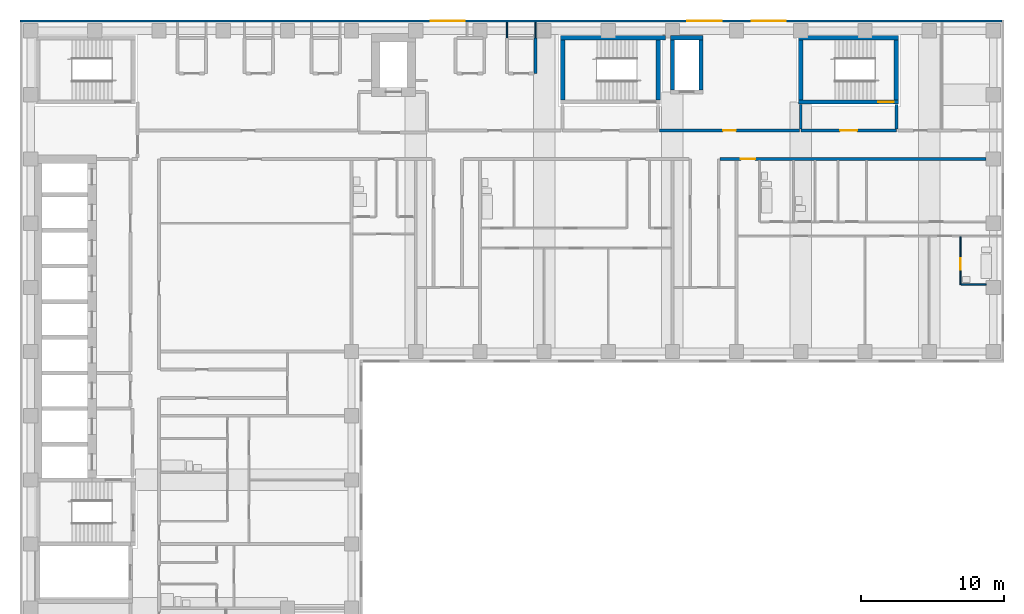
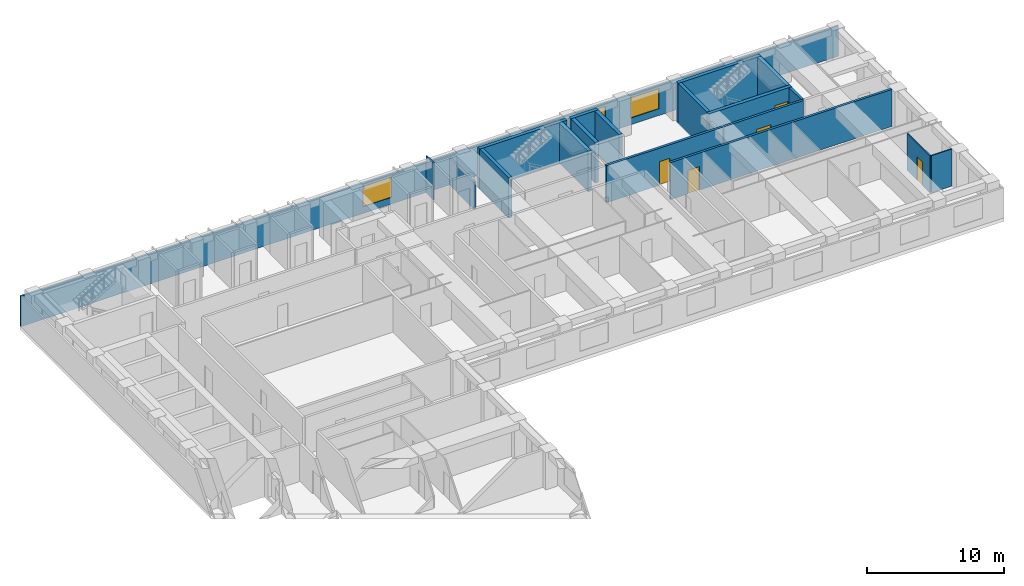
# One storey, part 8 of 12: 21 walls, 5 doors, 3 windows, 8 openings.
"""IFC4 building model written with IfcOpenShell, lengths in metres."""

from ifc_helpers import new_model, si_unit, direction, frame, frame_2d, origin, place, context, subcontext, project, spatial, rectangle, extrude, material, layer, layer_set, type_object, element, fill, save


model = new_model("IFC4")

# Units and contexts
model_context = context("Model", 3, precision=1e-05, world=origin(), true_north=direction((0.0, 1.0)))
body_context = subcontext(model_context, "Body", "Model", "MODEL_VIEW")
ifc_project = project(units=[si_unit("LENGTHUNIT", "METRE"), si_unit("AREAUNIT", "SQUARE_METRE"), si_unit("VOLUMEUNIT", "CUBIC_METRE"), si_unit("PLANEANGLEUNIT", "RADIAN"), si_unit("MASSUNIT", "GRAM", prefix="KILO")], contexts=[model_context])

# Site, building, storey
site_placement = place(None, origin())
site = spatial("IfcSite", under=ifc_project, at=site_placement, CompositionType="ELEMENT")
building_placement = place(site_placement, origin())
building = spatial("IfcBuilding", under=site, at=building_placement, Name="Firuza Court", CompositionType="ELEMENT")
storey_placement = place(building_placement, frame((0.0, 0.0, 144.800048828125)))
storey = spatial("IfcBuildingStorey", under=building, at=storey_placement, Name="L36", CompositionType="ELEMENT", Elevation=144.800048828125)

# Wall, opening, door
ifc_material_1 = material(Name="Moisture-resistant gypsum board partition")
ifc_layer_1 = layer(ifc_material_1, 0.10009765625)
ifc_layer_set_1 = layer_set([ifc_layer_1], Name="Moisture-resistant gypsum board partition")
wall_type_1 = type_object("IfcWallType", Name="Bathroom partition 100", PredefinedType="PLUMBINGWALL", material=ifc_layer_set_1)
wall_1_placement = place(storey_placement, frame((65.199951171875, 40.699951171875, 0.0), z_axis=(0.0, 0.0, 1.0), x_axis=(0.0, 1.0, 0.0)))
wall_1 = element("IfcWall", 1, at=wall_1_placement, inside=storey, type_object=wall_type_1, Name="Bathroom partition 100 L36", PredefinedType="PLUMBINGWALL", context=body_context, shape_type="SweptSolid", body=[
    extrude(rectangle(XDim=3.35009765625, YDim=0.10009765625, at=frame_2d((1.675048828125, 0.0))), origin(), (0.0, 0.0, 1.0), 3.300048828125),
])
opening_1_placement = place(wall_1_placement, frame((1.050048828125, 0.0, 0.0)))
opening_1 = element("IfcOpeningElement", 2, at=opening_1_placement, cuts=wall_1, Name="Opening D36045", PredefinedType="OPENING", context=body_context, shape_type="SweptSolid", body=[
    extrude(rectangle(XDim=0.800048828125, YDim=2.10009765625, at=frame_2d((0.39990234375, 1.050048828125))), frame((0.0, 0.06201171875, 0.0), z_axis=(0.0, -1.0, 0.0), x_axis=(1.0, 0.0, 0.0)), (0.0, 0.0, 1.0), 0.1240234375),
])
ifc_material_2 = material(Name="Timber door leaf in hardwood frame", Category="wood")
door_type_1 = type_object("IfcDoorType", Name="Bathroom door 800", OperationType="SINGLE_SWING_LEFT", PredefinedType="DOOR", material=ifc_material_2)
door_1_placement = place(opening_1_placement, frame((0.800048828125, 0.0, 0.0), z_axis=(0.0, 0.0, 1.0), x_axis=(-1.0, 0.0, 0.0)))
door_1 = element("IfcDoor", 3, at=door_1_placement, inside=storey, type_object=door_type_1, Name="En-suite door", OperationType="SINGLE_SWING_RIGHT", OverallHeight=2.10009765625, OverallWidth=0.800048828125, PredefinedType="DOOR", context=body_context, shape_type="SweptSolid", body=[
    extrude(rectangle(XDim=0.800048828125, YDim=2.10009765625, at=frame_2d((0.39990234375, 1.050048828125))), frame((0.0, 0.02490234375, 0.0), z_axis=(0.0, -1.0, 0.0), x_axis=(1.0, 0.0, 0.0)), (0.0, 0.0, 1.0), 0.050048828125),
])
fill(opening_1, door_1)

# Walls
wall_2_placement = place(storey_placement, frame((65.25, 40.699951171875, 0.0), z_axis=(0.0, 0.0, 1.0), x_axis=(1.0, 0.0, 0.0)))
element("IfcWall", 4, at=wall_2_placement, inside=storey, type_object=wall_type_1, Name="Bathroom partition 100 L36", PredefinedType="PLUMBINGWALL", context=body_context, shape_type="SweptSolid", body=[
    extrude(rectangle(XDim=1.75, YDim=0.10009765625, at=frame_2d((0.875, 0.0))), origin(), (0.0, 0.0, 1.0), 3.300048828125),
])
ifc_material_3 = material(Name="Concrete C60/75", Category="concrete")
ifc_layer_2 = layer(ifc_material_3, 0.300048828125)
ifc_layer_set_2 = layer_set([ifc_layer_2], Name="Concrete C60/75")
wall_type_2 = type_object("IfcWallType", Name="Core wall 300 C60/75", PredefinedType="SHEAR", material=ifc_layer_set_2)
wall_3_placement = place(storey_placement, frame((37.14990234375, 58.0, -0.300048828125), z_axis=(0.0, 0.0, 1.0), x_axis=(1.0, 0.0, 0.0)))
element("IfcWall", 5, at=wall_3_placement, inside=storey, type_object=wall_type_2, Name="Core wall stair L36", PredefinedType="SHEAR", context=body_context, shape_type="SweptSolid", body=[
    extrude(rectangle(XDim=7.35009765625, YDim=0.300048828125, at=frame_2d((3.675048828125, 0.0))), origin(), (0.0, 0.0, 1.0), 3.60009765625),
])
for number, where, z_axis, x_axis, name in (
    (6, (37.300048828125, 53.64990234375, -0.300048828125), (0.0, 0.0, 1.0), (0.0, 1.0, 0.0), "Core wall stair L36"),
    (7, (44.0, 53.64990234375, -0.300048828125), (0.0, 0.0, 1.0), (0.0, 1.0, 0.0), "Core wall stair L36"),
):
    element("IfcWall", number, at=place(storey_placement, frame(where, z_axis=z_axis, x_axis=x_axis)), inside=storey, type_object=wall_type_2, Name=name, PredefinedType="SHEAR", context=body_context, shape_type="SweptSolid", body=[
        extrude(rectangle(XDim=4.2001953125, YDim=0.300048828125, at=frame_2d((2.10009765625, 0.0))), origin(), (0.0, 0.0, 1.0), 3.60009765625),
    ])
wall_4_placement = place(storey_placement, frame((44.85009765625, 58.0, -0.300048828125), z_axis=(0.0, 0.0, 1.0), x_axis=(1.0, 0.0, 0.0)))
element("IfcWall", 8, at=wall_4_placement, inside=storey, type_object=wall_type_2, Name="Core wall riser L36", PredefinedType="SHEAR", context=body_context, shape_type="SweptSolid", body=[
    extrude(rectangle(XDim=2.2998046875, YDim=0.300048828125, at=frame_2d((1.14990234375, 0.0))), origin(), (0.0, 0.0, 1.0), 3.60009765625),
])
for number, where, z_axis, x_axis, name in (
    (9, (45.0, 54.35009765625, -0.300048828125), (0.0, 0.0, 1.0), (0.0, 1.0, 0.0), "Core wall riser L36"),
    (10, (47.0, 54.35009765625, -0.300048828125), (0.0, 0.0, 1.0), (0.0, 1.0, 0.0), "Core wall riser L36"),
):
    element("IfcWall", number, at=place(storey_placement, frame(where, z_axis=z_axis, x_axis=x_axis)), inside=storey, type_object=wall_type_2, Name=name, PredefinedType="SHEAR", context=body_context, shape_type="SweptSolid", body=[
        extrude(rectangle(XDim=3.5, YDim=0.300048828125, at=frame_2d((1.75, 0.0))), origin(), (0.0, 0.0, 1.0), 3.60009765625),
    ])

# Wall, opening, door
wall_5_placement = place(storey_placement, frame((53.85009765625, 53.5, -0.300048828125), z_axis=(0.0, 0.0, 1.0), x_axis=(1.0, 0.0, 0.0)))
wall_5 = element("IfcWall", 11, at=wall_5_placement, inside=storey, type_object=wall_type_2, Name="Core wall stair L36", PredefinedType="SHEAR", context=body_context, shape_type="SweptSolid", body=[
    extrude(rectangle(XDim=7.0, YDim=0.300048828125, at=frame_2d((3.5, 0.0))), origin(), (0.0, 0.0, 1.0), 3.60009765625),
])
opening_2_placement = place(wall_5_placement, frame((5.580078125, 0.0, 0.300048828125)))
opening_2 = element("IfcOpeningElement", 12, at=opening_2_placement, cuts=wall_5, Name="Opening D36016", PredefinedType="OPENING", context=body_context, shape_type="SweptSolid", body=[
    extrude(rectangle(XDim=1.10009765625, YDim=2.10009765625, at=frame_2d((0.550048828125, 1.050048828125))), frame((0.0, 0.162109375, 0.0), z_axis=(0.0, -1.0, 0.0), x_axis=(1.0, 0.0, 0.0)), (0.0, 0.0, 1.0), 0.323974609375),
])
ifc_material_4 = material(Name="Timber door leaf in hardwood frame", Category="wood")
door_type_2 = type_object("IfcDoorType", Name="Stair door 1100", OperationType="SINGLE_SWING_LEFT", PredefinedType="DOOR", material=ifc_material_4)
door_2_placement = place(opening_2_placement, origin())
door_2 = element("IfcDoor", 13, at=door_2_placement, inside=storey, type_object=door_type_2, Name="Stair door S4", OperationType="SINGLE_SWING_RIGHT", OverallHeight=2.10009765625, OverallWidth=1.10009765625, PredefinedType="DOOR", context=body_context, shape_type="SweptSolid", body=[
    extrude(rectangle(XDim=1.10009765625, YDim=2.10009765625, at=frame_2d((0.550048828125, 1.050048828125))), frame((0.0, 0.02490234375, 0.0), z_axis=(0.0, -1.0, 0.0), x_axis=(1.0, 0.0, 0.0)), (0.0, 0.0, 1.0), 0.050048828125),
])
fill(opening_2, door_2)

# Walls
wall_6_placement = place(storey_placement, frame((53.85009765625, 58.0, -0.300048828125), z_axis=(0.0, 0.0, 1.0), x_axis=(1.0, 0.0, 0.0)))
element("IfcWall", 14, at=wall_6_placement, inside=storey, type_object=wall_type_2, Name="Core wall stair L36", PredefinedType="SHEAR", context=body_context, shape_type="SweptSolid", body=[
    extrude(rectangle(XDim=7.0, YDim=0.300048828125, at=frame_2d((3.5, 0.0))), origin(), (0.0, 0.0, 1.0), 3.60009765625),
])
for number, where, z_axis, x_axis, name in (
    (15, (54.0, 53.64990234375, -0.300048828125), (0.0, 0.0, 1.0), (0.0, 1.0, 0.0), "Core wall stair L36"),
    (16, (60.699951171875, 53.64990234375, -0.300048828125), (0.0, 0.0, 1.0), (0.0, 1.0, 0.0), "Core wall stair L36"),
):
    element("IfcWall", number, at=place(storey_placement, frame(where, z_axis=z_axis, x_axis=x_axis)), inside=storey, type_object=wall_type_2, Name=name, PredefinedType="SHEAR", context=body_context, shape_type="SweptSolid", body=[
        extrude(rectangle(XDim=4.2001953125, YDim=0.300048828125, at=frame_2d((2.10009765625, 0.0))), origin(), (0.0, 0.0, 1.0), 3.60009765625),
    ])

# Wall, opening, door
ifc_material_5 = material(Name="Blockwork, plastered both sides", Category="masonry")
ifc_layer_3 = layer(ifc_material_5, 0.199951171875)
ifc_layer_set_3 = layer_set([ifc_layer_3], Name="Blockwork, plastered both sides")
wall_type_3 = type_object("IfcWallType", Name="Corridor wall 200", PredefinedType="PARTITIONING", material=ifc_layer_set_3)
wall_7_placement = place(storey_placement, frame((48.35009765625, 49.5, 0.0), z_axis=(0.0, 0.0, 1.0), x_axis=(1.0, 0.0, 0.0)))
wall_7 = element("IfcWall", 17, at=wall_7_placement, inside=storey, type_object=wall_type_3, Name="Corridor wall 200 L36", PredefinedType="PARTITIONING", context=body_context, shape_type="SweptSolid", body=[
    extrude(rectangle(XDim=18.64990234375, YDim=0.199951171875, at=frame_2d((9.324951171875, 0.0))), origin(), (0.0, 0.0, 1.0), 3.300048828125),
])
opening_3_placement = place(wall_7_placement, frame((1.449951171875, 0.0, 0.0)))
opening_3 = element("IfcOpeningElement", 18, at=opening_3_placement, cuts=wall_7, Name="Opening D36066", PredefinedType="OPENING", context=body_context, shape_type="SweptSolid", body=[
    extrude(rectangle(XDim=1.0, YDim=2.10009765625, at=frame_2d((0.5, 1.050048828125))), frame((0.0, 0.11181640625, 0.0), z_axis=(0.0, -1.0, 0.0), x_axis=(1.0, 0.0, 0.0)), (0.0, 0.0, 1.0), 0.223876953125),
])
ifc_material_6 = material(Name="Timber door leaf in hardwood frame", Category="wood")
door_type_3 = type_object("IfcDoorType", Name="Flat entrance door 1000", OperationType="SINGLE_SWING_LEFT", PredefinedType="DOOR", material=ifc_material_6)
door_3_placement = place(opening_3_placement, origin())
door_3 = element("IfcDoor", 19, at=door_3_placement, inside=storey, type_object=door_type_3, Name="Flat entrance door", OperationType="SINGLE_SWING_LEFT", OverallHeight=2.10009765625, OverallWidth=1.0, PredefinedType="DOOR", context=body_context, shape_type="SweptSolid", body=[
    extrude(rectangle(XDim=1.0, YDim=2.10009765625, at=frame_2d((0.5, 1.050048828125))), frame((0.0, 0.02490234375, 0.0), z_axis=(0.0, -1.0, 0.0), x_axis=(1.0, 0.0, 0.0)), (0.0, 0.0, 1.0), 0.050048828125),
])
fill(opening_3, door_3)

wall_8_placement = place(storey_placement, frame((44.10009765625, 51.5, 0.0), z_axis=(0.0, 0.0, 1.0), x_axis=(1.0, 0.0, 0.0)))
wall_8 = element("IfcWall", 20, at=wall_8_placement, inside=storey, type_object=wall_type_3, Name="Corridor wall 200 L36", PredefinedType="PARTITIONING", context=body_context, shape_type="SweptSolid", body=[
    extrude(rectangle(XDim=9.7998046875, YDim=0.199951171875, at=frame_2d((4.89990234375, 0.0))), origin(), (0.0, 0.0, 1.0), 3.300048828125),
])
opening_4_placement = place(wall_8_placement, frame((4.449951171875, 0.0, 0.0)))
opening_4 = element("IfcOpeningElement", 21, at=opening_4_placement, cuts=wall_8, Name="Opening D36069", PredefinedType="OPENING", context=body_context, shape_type="SweptSolid", body=[
    extrude(rectangle(XDim=0.89990234375, YDim=2.10009765625, at=frame_2d((0.449951171875, 1.050048828125))), frame((0.0, 0.11181640625, 0.0), z_axis=(0.0, -1.0, 0.0), x_axis=(1.0, 0.0, 0.0)), (0.0, 0.0, 1.0), 0.223876953125),
])
ifc_material_7 = material(Name="Timber door leaf in hardwood frame", Category="wood")
door_type_4 = type_object("IfcDoorType", Name="Room door 900 EI 30", OperationType="SINGLE_SWING_LEFT", PredefinedType="DOOR", material=ifc_material_7)
door_4_placement = place(opening_4_placement, origin())
door_4 = element("IfcDoor", 22, at=door_4_placement, inside=storey, type_object=door_type_4, Name="Meeting room door", OperationType="SINGLE_SWING_LEFT", OverallHeight=2.10009765625, OverallWidth=0.89990234375, PredefinedType="DOOR", context=body_context, shape_type="SweptSolid", body=[
    extrude(rectangle(XDim=0.89990234375, YDim=2.10009765625, at=frame_2d((0.449951171875, 1.050048828125))), frame((0.0, 0.02490234375, 0.0), z_axis=(0.0, -1.0, 0.0), x_axis=(1.0, 0.0, 0.0)), (0.0, 0.0, 1.0), 0.050048828125),
])
fill(opening_4, door_4)

# Walls
ifc_material_8 = material(Name="Timber stud partition, plasterboard both sides", Category="wood")
ifc_layer_4 = layer(ifc_material_8, 0.10009765625)
ifc_layer_set_4 = layer_set([ifc_layer_4], Name="Timber stud partition, plasterboard both sides")
wall_type_4 = type_object("IfcWallType", Name="Partition wall 100", PredefinedType="PARTITIONING", material=ifc_layer_set_4)
wall_9_placement = place(storey_placement, frame((33.39990234375, 58.0, 0.0), z_axis=(0.0, 0.0, 1.0), x_axis=(0.0, 1.0, 0.0)))
element("IfcWall", 23, at=wall_9_placement, inside=storey, type_object=wall_type_4, Name="Partition wall 100 L36", PredefinedType="PARTITIONING", context=body_context, shape_type="SweptSolid", body=[
    extrude(rectangle(XDim=1.10009765625, YDim=0.10009765625, at=frame_2d((0.550048828125, 0.0))), origin(), (0.0, 0.0, 1.0), 3.300048828125),
])
wall_10_placement = place(storey_placement, frame((35.39990234375, 58.0, 0.0), z_axis=(0.0, 0.0, 1.0), x_axis=(0.0, 1.0, 0.0)))
element("IfcWall", 24, at=wall_10_placement, inside=storey, type_object=wall_type_4, Name="Partition wall 100 L36", PredefinedType="PARTITIONING", context=body_context, shape_type="SweptSolid", body=[
    extrude(rectangle(XDim=1.10009765625, YDim=0.10009765625, at=frame_2d((0.550048828125, 0.0))), origin(), (0.0, 0.0, 1.0), 2.39990234375),
])
ifc_material_9 = material(Name="Blockwork, fire-rated", Category="masonry")
ifc_layer_5 = layer(ifc_material_9, 0.199951171875)
ifc_layer_set_5 = layer_set([ifc_layer_5], Name="Blockwork, fire-rated")
wall_type_5 = type_object("IfcWallType", Name="Plant room wall 200", PredefinedType="PARTITIONING", material=ifc_layer_set_5)
wall_11_placement = place(storey_placement, frame((35.39990234375, 55.5, 0.0), z_axis=(0.0, 0.0, 1.0), x_axis=(0.0, 1.0, 0.0)))
element("IfcWall", 25, at=wall_11_placement, inside=storey, type_object=wall_type_5, Name="Plant room wall 200 L36", PredefinedType="PARTITIONING", context=body_context, shape_type="SweptSolid", body=[
    extrude(rectangle(XDim=2.5, YDim=0.199951171875, at=frame_2d((1.25, 0.0))), origin(), (0.0, 0.0, 1.0), 2.39990234375),
])

# Wall, openings, windows
ifc_material_10 = material(Name="Ceramic tile", Category="ceramic")
ifc_layer_6 = layer(ifc_material_10, 0.02001953125)
ifc_material_11 = material(Name="Mineral wool insulation", Category="insulation")
ifc_layer_7 = layer(ifc_material_11, 0.050048828125)
ifc_material_12 = material(Name="Concrete C40/50 precast", Category="concrete")
ifc_layer_8 = layer(ifc_material_12, 0.080078125)
ifc_layer_set_6 = layer_set([ifc_layer_6, ifc_layer_7, ifc_layer_8], Name="Concrete C40/50 precast")
wall_type_6 = type_object("IfcWallType", Name="Precast cladding wall with turquoise TILE PANEL face 150", PredefinedType="STANDARD", material=ifc_layer_set_6)
wall_12_placement = place(storey_placement, frame((68.10009765625, 59.175048828125, 0.0), z_axis=(0.0, 0.0, 1.0), x_axis=(-1.0, 0.0, 0.0)))
wall_12 = element("IfcWall", 26, at=wall_12_placement, inside=storey, type_object=wall_type_6, Name="Facade wall L36 N", PredefinedType="STANDARD", context=body_context, shape_type="SweptSolid", body=[
    extrude(rectangle(XDim=68.85009765625, YDim=0.14990234375, at=frame_2d((34.425048828125, 0.0))), origin(), (0.0, 0.0, 1.0), 2.699951171875),
])
opening_5_placement = place(wall_12_placement, frame((15.14990234375, 0.0, 0.60009765625)))
opening_5 = element("IfcOpeningElement", 27, at=opening_5_placement, cuts=wall_12, Name="Opening W1", PredefinedType="OPENING", context=body_context, shape_type="SweptSolid", body=[
    extrude(rectangle(XDim=2.39990234375, YDim=1.800048828125, at=frame_2d((1.199951171875, 0.89990234375))), frame((0.0, 0.0869140625, 0.0), z_axis=(0.0, -1.0, 0.0), x_axis=(1.0, 0.0, 0.0)), (0.0, 0.0, 1.0), 0.173828125),
])
opening_6_placement = place(wall_12_placement, frame((19.64990234375, 0.0, 0.60009765625)))
opening_6 = element("IfcOpeningElement", 28, at=opening_6_placement, cuts=wall_12, Name="Opening W1", PredefinedType="OPENING", context=body_context, shape_type="SweptSolid", body=[
    extrude(rectangle(XDim=2.39990234375, YDim=1.800048828125, at=frame_2d((1.199951171875, 0.89990234375))), frame((0.0, 0.0869140625, 0.0), z_axis=(0.0, -1.0, 0.0), x_axis=(1.0, 0.0, 0.0)), (0.0, 0.0, 1.0), 0.173828125),
])
opening_7_placement = place(wall_12_placement, frame((37.64990234375, 0.0, 0.60009765625)))
opening_7 = element("IfcOpeningElement", 29, at=opening_7_placement, cuts=wall_12, Name="Opening W1", PredefinedType="OPENING", context=body_context, shape_type="SweptSolid", body=[
    extrude(rectangle(XDim=2.39990234375, YDim=1.800048828125, at=frame_2d((1.199951171875, 0.89990234375))), frame((0.0, 0.0869140625, 0.0), z_axis=(0.0, -1.0, 0.0), x_axis=(1.0, 0.0, 0.0)), (0.0, 0.0, 1.0), 0.173828125),
])
ifc_material_13 = material(Name="Aluminium frame, triple clear glazing", Category="aluminium")
window_type = type_object("IfcWindowType", Name="Window W1 2400 x 1800", PartitioningType="SINGLE_PANEL", PredefinedType="WINDOW", material=ifc_material_13)
window_1_placement = place(opening_5_placement, origin())
window_1 = element("IfcWindow", 30, at=window_1_placement, inside=storey, type_object=window_type, Name="Window L36", OverallHeight=1.800048828125, OverallWidth=2.39990234375, PartitioningType="SINGLE_PANEL", PredefinedType="WINDOW", context=body_context, shape_type="SweptSolid", body=[
    extrude(rectangle(XDim=2.39990234375, YDim=1.800048828125, at=frame_2d((1.199951171875, 0.89990234375))), frame((0.0, 0.030029296875, 0.0), z_axis=(0.0, -1.0, 0.0), x_axis=(1.0, 0.0, 0.0)), (0.0, 0.0, 1.0), 0.06005859375),
])
fill(opening_5, window_1)
window_2_placement = place(opening_6_placement, origin())
window_2 = element("IfcWindow", 31, at=window_2_placement, inside=storey, type_object=window_type, Name="Window L36", OverallHeight=1.800048828125, OverallWidth=2.39990234375, PartitioningType="SINGLE_PANEL", PredefinedType="WINDOW", context=body_context, shape_type="SweptSolid", body=[
    extrude(rectangle(XDim=2.39990234375, YDim=1.800048828125, at=frame_2d((1.199951171875, 0.89990234375))), frame((0.0, 0.030029296875, 0.0), z_axis=(0.0, -1.0, 0.0), x_axis=(1.0, 0.0, 0.0)), (0.0, 0.0, 1.0), 0.06005859375),
])
fill(opening_6, window_2)
window_3_placement = place(opening_7_placement, origin())
window_3 = element("IfcWindow", 32, at=window_3_placement, inside=storey, type_object=window_type, Name="Window L36", OverallHeight=1.800048828125, OverallWidth=2.39990234375, PartitioningType="SINGLE_PANEL", PredefinedType="WINDOW", context=body_context, shape_type="SweptSolid", body=[
    extrude(rectangle(XDim=2.39990234375, YDim=1.800048828125, at=frame_2d((1.199951171875, 0.89990234375))), frame((0.0, 0.030029296875, 0.0), z_axis=(0.0, -1.0, 0.0), x_axis=(1.0, 0.0, 0.0)), (0.0, 0.0, 1.0), 0.06005859375),
])
fill(opening_7, window_3)

# Wall, opening, door
ifc_layer_9 = layer(ifc_material_9, 0.199951171875)
ifc_layer_set_7 = layer_set([ifc_layer_9], Name="Blockwork, fire-rated")
wall_type_7 = type_object("IfcWallType", Name="Shaft wall 200", PredefinedType="PARTITIONING", material=ifc_layer_set_7)
wall_13_placement = place(storey_placement, frame((54.0, 51.5, 0.0), z_axis=(0.0, 0.0, 1.0), x_axis=(1.0, 0.0, 0.0)))
wall_13 = element("IfcWall", 33, at=wall_13_placement, inside=storey, type_object=wall_type_7, Name="Shaft wall 200 L36", PredefinedType="PARTITIONING", context=body_context, shape_type="SweptSolid", body=[
    extrude(rectangle(XDim=6.699951171875, YDim=0.199951171875, at=frame_2d((3.35009765625, 0.0))), origin(), (0.0, 0.0, 1.0), 3.300048828125),
])
opening_8_placement = place(wall_13_placement, frame((2.75, 0.0, 0.0)))
opening_8 = element("IfcOpeningElement", 34, at=opening_8_placement, cuts=wall_13, Name="Opening D36007", PredefinedType="OPENING", context=body_context, shape_type="SweptSolid", body=[
    extrude(rectangle(XDim=1.199951171875, YDim=2.10009765625, at=frame_2d((0.60009765625, 1.050048828125))), frame((0.0, 0.11181640625, 0.0), z_axis=(0.0, -1.0, 0.0), x_axis=(1.0, 0.0, 0.0)), (0.0, 0.0, 1.0), 0.223876953125),
])
ifc_material_14 = material(Name="Timber door leaf in hardwood frame", Category="wood")
door_type_5 = type_object("IfcDoorType", Name="Lobby door 1200", OperationType="SINGLE_SWING_LEFT", PredefinedType="DOOR", material=ifc_material_14)
door_5_placement = place(opening_8_placement, origin())
door_5 = element("IfcDoor", 35, at=door_5_placement, inside=storey, type_object=door_type_5, Name="Lobby door", OperationType="SINGLE_SWING_LEFT", OverallHeight=2.10009765625, OverallWidth=1.199951171875, PredefinedType="DOOR", context=body_context, shape_type="SweptSolid", body=[
    extrude(rectangle(XDim=1.199951171875, YDim=2.10009765625, at=frame_2d((0.60009765625, 1.050048828125))), frame((0.0, 0.02490234375, 0.0), z_axis=(0.0, -1.0, 0.0), x_axis=(1.0, 0.0, 0.0)), (0.0, 0.0, 1.0), 0.050048828125),
])
fill(opening_8, door_5)

# Walls
wall_14_placement = place(storey_placement, frame((60.699951171875, 51.60009765625, 0.0), z_axis=(0.0, 0.0, 1.0), x_axis=(0.0, 1.0, 0.0)))
element("IfcWall", 36, at=wall_14_placement, inside=storey, type_object=wall_type_7, Name="Shaft wall 200 L36", PredefinedType="PARTITIONING", context=body_context, shape_type="SweptSolid", body=[
    extrude(rectangle(XDim=1.72998046875, YDim=0.199951171875, at=frame_2d((0.864990234375, 0.0))), origin(), (0.0, 0.0, 1.0), 3.300048828125),
])
wall_15_placement = place(storey_placement, frame((54.0, 51.60009765625, 0.0), z_axis=(0.0, 0.0, 1.0), x_axis=(0.0, 1.0, 0.0)))
element("IfcWall", 37, at=wall_15_placement, inside=storey, type_object=wall_type_7, Name="Shaft wall 200 L36", PredefinedType="PARTITIONING", context=body_context, shape_type="SweptSolid", body=[
    extrude(rectangle(XDim=1.72998046875, YDim=0.199951171875, at=frame_2d((0.864990234375, 0.0))), origin(), (0.0, 0.0, 1.0), 2.599853515625),
])

save(model, "model.ifc")
